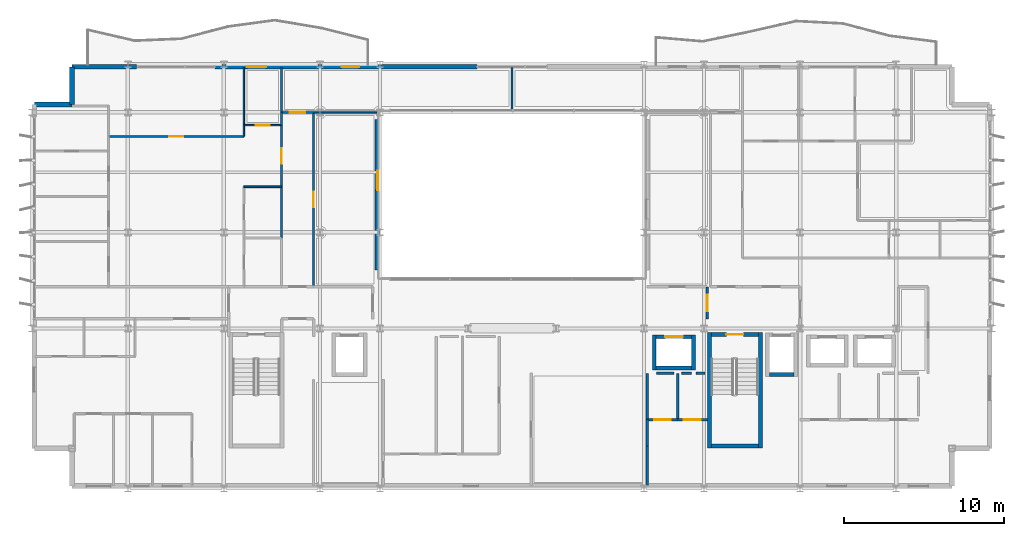
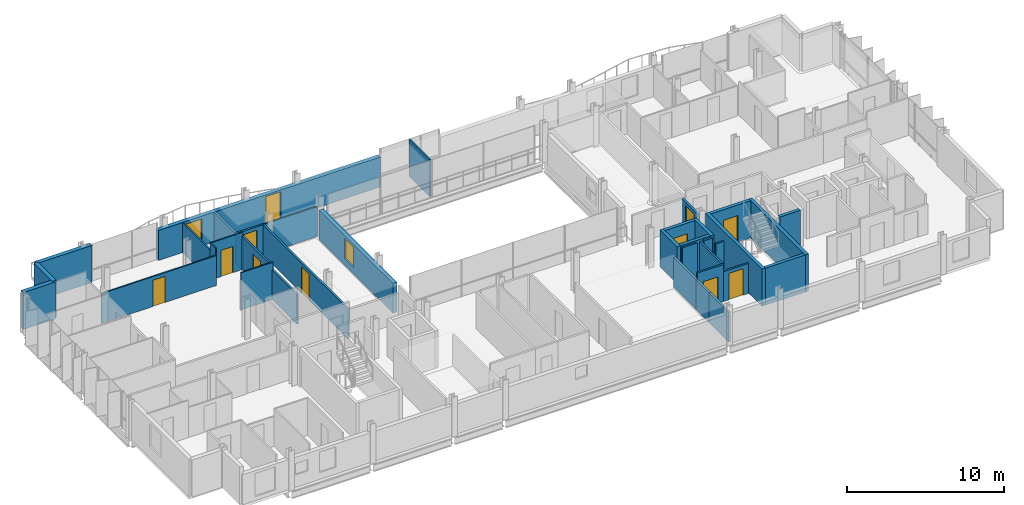
# One storey, part 30 of 38: 37 walls, 11 doors, 2 windows, 13 openings.
"""IFC4 building model written with IfcOpenShell, lengths in metres."""

import ifcopenshell
import ifcopenshell.guid

model = None  # the IFC model being written
_history = None  # IfcOwnerHistory: only IFC2X3 demands one
_inside = {}  # id of a spatial element -> (the spatial element, [elements in it])
_under = {}  # id of a project, library or spatial element -> (it, [spatial elements below it])
_declared = {}  # id of a project -> (the project, [libraries it declares])
_typed = {}  # id of a type object -> (the type object, [elements of that type])
_made_of = {}  # id of a material, layer set ... -> (it, [elements and type objects made of it])


def new_model(schema):
    """Start an empty IFC model of exactly this schema.

    Asked for "IFC4X3", IfcOpenShell would pick the latest addendum, in which some entities
    have other attributes; the version numbers below select the first issue.
    IFC2X3 requires an IfcOwnerHistory on every rooted entity: one is made here for all.
    """
    global model, _history
    if schema == "IFC4X3":
        model = ifcopenshell.file(schema_version=(4, 3, 0, 0))
    else:
        model = ifcopenshell.file(schema=schema)
    _inside.clear()
    _under.clear()
    _declared.clear()
    _typed.clear()
    _made_of.clear()
    _history = None
    if model.schema == "IFC2X3":
        org = make("IfcOrganization", Name="unknown")
        user = make(
            "IfcPersonAndOrganization",
            ThePerson=make("IfcPerson", FamilyName="unknown"),
            TheOrganization=org,
        )
        app = make(
            "IfcApplication",
            ApplicationDeveloper=org,
            Version="unknown",
            ApplicationFullName="unknown",
            ApplicationIdentifier="unknown",
        )
        _history = make(
            "IfcOwnerHistory",
            OwningUser=user,
            OwningApplication=app,
            ChangeAction="ADDED",
            CreationDate=0,
        )
    return model


def make(cls, **values):
    """One entity of the class cls with the attributes given. An attribute that is None is left unset."""
    return model.create_entity(
        cls, **{name: value for name, value in values.items() if value is not None}
    )


def rooted(cls, **values):
    """An entity with a GlobalId (a new one), such as an element, a storey or a relation."""
    return make(cls, GlobalId=ifcopenshell.guid.new(), OwnerHistory=_history, **values)


def si_unit(unit_type, name, prefix=None):
    """IfcSIUnit, for example si_unit("LENGTHUNIT", "METRE", prefix="MILLI")."""
    return make("IfcSIUnit", UnitType=unit_type, Prefix=prefix, Name=name)


def assignment(units):
    """IfcUnitAssignment: the units of a project."""
    return None if units is None else make("IfcUnitAssignment", Units=units)


def point(xyz):
    """IfcCartesianPoint."""
    return None if xyz is None else make("IfcCartesianPoint", Coordinates=xyz)


def direction(xyz):
    """IfcDirection."""
    return None if xyz is None else make("IfcDirection", DirectionRatios=xyz)


def frame(location, z_axis=None, x_axis=None):
    """IfcAxis2Placement3D, a coordinate frame: its origin and axes. An axis left out is left unset."""
    return make(
        "IfcAxis2Placement3D",
        Location=point(location),
        Axis=direction(z_axis),
        RefDirection=direction(x_axis),
    )


def frame_2d(location, x_axis=None):
    """IfcAxis2Placement2D, a coordinate frame in the plane: its origin and x axis."""
    return make(
        "IfcAxis2Placement2D", Location=point(location), RefDirection=direction(x_axis)
    )


def origin():
    """The frame at (0, 0, 0) with its axes left unset."""
    return frame((0.0, 0.0, 0.0))


def place(relative_to, where):
    """IfcLocalPlacement: puts the frame where relative to a parent placement (None: the world)."""
    return make(
        "IfcLocalPlacement", PlacementRelTo=relative_to, RelativePlacement=where
    )


def context(
    kind, dimensions, precision=None, world=None, true_north=None, identifier=None
):
    """IfcGeometricRepresentationContext, for example the 3D "Model" context."""
    return make(
        "IfcGeometricRepresentationContext",
        ContextIdentifier=identifier,
        ContextType=kind,
        CoordinateSpaceDimension=dimensions,
        Precision=precision,
        WorldCoordinateSystem=world,
        TrueNorth=true_north,
    )


def subcontext(parent, identifier, kind, view, scale=None):
    """IfcGeometricRepresentationSubContext, for example "Body" below "Model"."""
    return make(
        "IfcGeometricRepresentationSubContext",
        ContextIdentifier=identifier,
        ContextType=kind,
        ParentContext=parent,
        TargetScale=scale,
        TargetView=view,
    )


def project(units=None, contexts=None):
    """IfcProject with its units and contexts."""
    return rooted(
        "IfcProject",
        Name="project",
        RepresentationContexts=contexts,
        UnitsInContext=assignment(units),
    )


def spatial(cls, under=None, at=None, **own):
    """A site, building, storey or space (cls), placed at a placement, below another one or the project."""
    s = rooted(cls, ObjectPlacement=at, **own)
    if under is not None:
        _under.setdefault(under.id(), (under, []))[1].append(s)
    return s


def profile(cls, at=None, kind="AREA", **sizes):
    """A parametric profile (cls). Its sizes go by their IFC names, for example OverallWidth=200.0."""
    return make(cls, ProfileType=kind, Position=at, **sizes)


def rectangle(**sizes):
    """IfcRectangleProfileDef."""
    return profile("IfcRectangleProfileDef", **sizes)


def extrude(swept, where, along, depth):
    """IfcExtrudedAreaSolid: the profile swept, set in the frame where, extruded along a direction by depth."""
    return make(
        "IfcExtrudedAreaSolid",
        SweptArea=swept,
        Position=where,
        ExtrudedDirection=direction(along),
        Depth=depth,
    )


def shape(context_of_items, identifier, shape_type, items):
    """IfcShapeRepresentation: the items that make up one representation, for example the "Body"."""
    return make(
        "IfcShapeRepresentation",
        ContextOfItems=context_of_items,
        RepresentationIdentifier=identifier,
        RepresentationType=shape_type,
        Items=items,
    )


def material(Name=None, Category=None):
    """IfcMaterial."""
    return make("IfcMaterial", Name=Name, Category=Category)


def layer(
    of_material, thickness, ventilated=None, Name=None, Category=None, Priority=None
):
    """IfcMaterialLayer: one layer of a wall or slab, of a material (None: an air gap)."""
    return make(
        "IfcMaterialLayer",
        Material=of_material,
        LayerThickness=thickness,
        IsVentilated=ventilated,
        Name=Name,
        Category=Category,
        Priority=Priority,
    )


def layer_set(layers, Name=None):
    """IfcMaterialLayerSet."""
    return make("IfcMaterialLayerSet", MaterialLayers=layers, LayerSetName=Name)


def made_of(thing, what):
    """Note that an element or type object is made of a material, layer set ...; save() writes the relation."""
    if what is not None:
        _made_of.setdefault(what.id(), (what, []))[1].append(thing)
    return thing


def type_object(cls, material=None, **own):
    """A type object (cls), such as IfcWallType, which elements share."""
    return made_of(rooted(cls, **own), material)


def element(
    cls,
    number,
    at=None,
    inside=None,
    cuts=None,
    type_object=None,
    material=None,
    context=None,
    identifier="Body",
    shape_type=None,
    held_by="IfcProductDefinitionShape",
    body=None,
    shapes=None,
    **own,
):
    """One element of the class cls, such as IfcWall. Its Tag is "e" and its number.

    at: its placement. inside: the storey or other place that contains it. cuts: it is an
    opening in that element (IfcRelVoidsElement). A single representation is given by context,
    identifier, shape_type and body (its items); several are given by shapes. held_by: the class
    of the entity that holds the representations. save() writes the other relations.
    """
    e = rooted(cls, Tag="e%d" % number, ObjectPlacement=at, **own)
    if body is not None:
        shapes = [shape(context, identifier, shape_type, body)]
    if shapes is not None:
        e.Representation = make(held_by, Representations=shapes)
    if inside is not None:
        _inside.setdefault(inside.id(), (inside, []))[1].append(e)
    if cuts is not None:
        rooted(
            "IfcRelVoidsElement", RelatingBuildingElement=cuts, RelatedOpeningElement=e
        )
    if type_object is not None:
        _typed.setdefault(type_object.id(), (type_object, []))[1].append(e)
    return made_of(e, material)


def fill(opening, filler):
    """IfcRelFillsElement: the door or window that sits in an opening."""
    return rooted(
        "IfcRelFillsElement",
        RelatingOpeningElement=opening,
        RelatedBuildingElement=filler,
    )


def aggregate(whole, parts):
    """IfcRelAggregates: a whole, such as a stair, and the parts it consists of."""
    return rooted("IfcRelAggregates", RelatingObject=whole, RelatedObjects=parts)


def save(model, path):
    """Write the relations noted so far, then the file.

    IfcRelAggregates (storeys below a building ...), IfcRelContainedInSpatialStructure (elements
    in a storey), IfcRelDefinesByType, IfcRelAssociatesMaterial and IfcRelDeclares: one each for
    every whole, place, type object, material and project.
    """
    for whole, parts in _under.values():
        aggregate(whole, parts)
    for where, things in _inside.values():
        rooted(
            "IfcRelContainedInSpatialStructure",
            RelatedElements=things,
            RelatingStructure=where,
        )
    for kind, things in _typed.values():
        rooted("IfcRelDefinesByType", RelatedObjects=things, RelatingType=kind)
    for what, things in _made_of.values():
        rooted("IfcRelAssociatesMaterial", RelatedObjects=things, RelatingMaterial=what)
    for by, libraries in _declared.values():
        rooted("IfcRelDeclares", RelatingContext=by, RelatedDefinitions=libraries)
    model.write(path)


model = new_model("IFC4")

# Units and contexts
model_context = context("Model", 3, precision=1e-05, world=origin(), true_north=direction((0.0, 1.0)))
body_context = subcontext(model_context, "Body", "Model", "MODEL_VIEW")
ifc_project = project(units=[si_unit("LENGTHUNIT", "METRE"), si_unit("AREAUNIT", "SQUARE_METRE"), si_unit("VOLUMEUNIT", "CUBIC_METRE"), si_unit("PLANEANGLEUNIT", "RADIAN"), si_unit("MASSUNIT", "GRAM", prefix="KILO")], contexts=[model_context])

# Site, building, storey
site_placement = place(None, origin())
site = spatial("IfcSite", under=ifc_project, at=site_placement, CompositionType="ELEMENT")
building_placement = place(site_placement, origin())
building = spatial("IfcBuilding", under=site, at=building_placement, Name="Brevholm Reach", CompositionType="ELEMENT")
storey_placement = place(building_placement, frame((0.0, 0.0, 186.300048828125)))
storey = spatial("IfcBuildingStorey", under=building, at=storey_placement, Name="L56", CompositionType="ELEMENT", Elevation=186.300048828125)

# Walls
ifc_material_1 = material(Name="Concrete C45/55", Category="concrete")
ifc_layer_1 = layer(ifc_material_1, 0.239990234375)
ifc_layer_set_1 = layer_set([ifc_layer_1], Name="Concrete C45/55")
wall_type_1 = type_object("IfcWallType", Name="WAL-COR-240", PredefinedType="SHEAR", material=ifc_layer_set_1)
for number, where, z_axis, x_axis, name in (
    (1, (42.330078125, 2.5400390625, 0.0), (0.0, 0.0, 1.0), (0.0, 1.0, 0.0), "L56 Escape Stair ST-2 Core Wall W"),
    (2, (45.52001953125, 2.5400390625, 0.0), (0.0, 0.0, 1.0), (0.0, 1.0, 0.0), "L56 Escape Stair ST-2 Core Wall E"),
):
    element("IfcWall", number, at=place(storey_placement, frame(where, z_axis=z_axis, x_axis=x_axis)), inside=storey, type_object=wall_type_1, Name=name, PredefinedType="SHEAR", context=body_context, shape_type="SweptSolid", body=[
        extrude(rectangle(XDim=7.199951171875, YDim=0.239990234375, at=frame_2d((3.60009765625, 0.0))), origin(), (0.0, 0.0, 1.0), 2.889892578125),
    ])
wall_1_placement = place(storey_placement, frame((42.449951171875, 2.659912109375, 0.0), z_axis=(0.0, 0.0, 1.0), x_axis=(1.0, 0.0, 0.0)))
element("IfcWall", 3, at=wall_1_placement, inside=storey, type_object=wall_type_1, Name="L56 Escape Stair ST-2 Core Wall S", PredefinedType="SHEAR", context=body_context, shape_type="SweptSolid", body=[
    extrude(rectangle(XDim=2.949951171875, YDim=0.239990234375, at=frame_2d((1.47509765625, 0.0))), origin(), (0.0, 0.0, 1.0), 2.889892578125),
])

# Wall, opening, door
wall_2_placement = place(storey_placement, frame((45.39990234375, 9.6201171875, 0.0), z_axis=(0.0, 0.0, 1.0), x_axis=(-1.0, 0.0, 0.0)))
wall_2 = element("IfcWall", 4, at=wall_2_placement, inside=storey, type_object=wall_type_1, Name="L56 Escape Stair ST-2 Core Wall N", PredefinedType="SHEAR", context=body_context, shape_type="SweptSolid", body=[
    extrude(rectangle(XDim=2.949951171875, YDim=0.239990234375, at=frame_2d((1.47509765625, 0.0))), origin(), (0.0, 0.0, 1.0), 2.889892578125),
])
opening_1_placement = place(wall_2_placement, frame((0.949951171875, 0.0, 0.0)))
opening_1 = element("IfcOpeningElement", 5, at=opening_1_placement, cuts=wall_2, Name="Opening SD-ST-2", PredefinedType="OPENING", context=body_context, shape_type="SweptSolid", body=[
    extrude(rectangle(XDim=1.050048828125, YDim=2.06005859375, at=frame_2d((0.52490234375, 1.030029296875))), frame((0.0, 0.1298828125, 0.0), z_axis=(0.0, -1.0, 0.0), x_axis=(1.0, 0.0, 0.0)), (0.0, 0.0, 1.0), 0.260009765625),
])
ifc_material_2 = material(Name="Hardwood-Lipped Steel-Core Fire and Smoke Door", Category="steel")
door_type_1 = type_object("IfcDoorType", Name="DOR-INT-FD60S", OperationType="NOTDEFINED", PredefinedType="DOOR", material=ifc_material_2)
door_1_placement = place(opening_1_placement, origin())
door_1 = element("IfcDoor", 6, at=door_1_placement, inside=storey, type_object=door_type_1, Name="L56 Protected Stair ST-2 Lobby Door", OperationType="SINGLE_SWING_LEFT", OverallHeight=2.06005859375, OverallWidth=1.050048828125, PredefinedType="DOOR", context=body_context, shape_type="SweptSolid", body=[
    extrude(rectangle(XDim=1.050048828125, YDim=2.06005859375, at=frame_2d((0.52490234375, 1.030029296875))), frame((0.0, 0.02490234375, 0.0), z_axis=(0.0, -1.0, 0.0), x_axis=(1.0, 0.0, 0.0)), (0.0, 0.0, 1.0), 0.050048828125),
])
fill(opening_1, door_1)

# Walls
wall_3_placement = place(storey_placement, frame((46.090087890625, 7.1201171875, 0.0), z_axis=(0.0, 0.0, 1.0), x_axis=(1.0, 0.0, 0.0)))
element("IfcWall", 7, at=wall_3_placement, inside=storey, type_object=wall_type_1, Name="L56 Lift FFL-2 Shaft Wall S", PredefinedType="SHEAR", context=body_context, shape_type="SweptSolid", body=[
    extrude(rectangle(XDim=1.52001953125, YDim=0.239990234375, at=frame_2d((0.760009765625, 0.0))), origin(), (0.0, 0.0, 1.0), 2.889892578125),
])
for number, where, z_axis, x_axis, name in (
    (8, (38.889892578125, 7.39990234375, 0.0), (0.0, 0.0, 1.0), (0.0, 1.0, 0.0), "L56 Lift PL-S1 Shaft Wall W"),
    (9, (41.35009765625, 7.39990234375, 0.0), (0.0, 0.0, 1.0), (0.0, 1.0, 0.0), "L56 Lift PL-S1 Shaft Wall E"),
):
    element("IfcWall", number, at=place(storey_placement, frame(where, z_axis=z_axis, x_axis=x_axis)), inside=storey, type_object=wall_type_1, Name=name, PredefinedType="SHEAR", context=body_context, shape_type="SweptSolid", body=[
        extrude(rectangle(XDim=2.2001953125, YDim=0.239990234375, at=frame_2d((1.10009765625, 0.0))), origin(), (0.0, 0.0, 1.0), 2.889892578125),
    ])
wall_4_placement = place(storey_placement, frame((39.010009765625, 7.52001953125, 0.0), z_axis=(0.0, 0.0, 1.0), x_axis=(1.0, 0.0, 0.0)))
element("IfcWall", 10, at=wall_4_placement, inside=storey, type_object=wall_type_1, Name="L56 Lift PL-S1 Shaft Wall S", PredefinedType="SHEAR", context=body_context, shape_type="SweptSolid", body=[
    extrude(rectangle(XDim=2.219970703125, YDim=0.239990234375, at=frame_2d((1.10986328125, 0.0))), origin(), (0.0, 0.0, 1.0), 2.889892578125),
])

# Wall, opening, door
wall_5_placement = place(storey_placement, frame((39.010009765625, 9.47998046875, 0.0), z_axis=(0.0, 0.0, 1.0), x_axis=(1.0, 0.0, 0.0)))
wall_5 = element("IfcWall", 11, at=wall_5_placement, inside=storey, type_object=wall_type_1, Name="L56 Lift PL-S1 Shaft Wall N", PredefinedType="SHEAR", context=body_context, shape_type="SweptSolid", body=[
    extrude(rectangle(XDim=2.219970703125, YDim=0.239990234375, at=frame_2d((1.10986328125, 0.0))), origin(), (0.0, 0.0, 1.0), 2.889892578125),
])
opening_2_placement = place(wall_5_placement, frame((0.56005859375, 0.0, 0.0)))
opening_2 = element("IfcOpeningElement", 12, at=opening_2_placement, cuts=wall_5, Name="Opening LD-PL-S1", PredefinedType="OPENING", context=body_context, shape_type="SweptSolid", body=[
    extrude(rectangle(XDim=1.10009765625, YDim=2.06005859375, at=frame_2d((0.550048828125, 1.030029296875))), frame((0.0, 0.1298828125, 0.0), z_axis=(0.0, -1.0, 0.0), x_axis=(1.0, 0.0, 0.0)), (0.0, 0.0, 1.0), 0.260009765625),
])
ifc_material_3 = material(Name="Brushed Stainless Steel Fire-Rated Sliding Lift Door", Category="steel")
door_type_2 = type_object("IfcDoorType", Name="DOR-LFT-1100", OperationType="NOTDEFINED", PredefinedType="DOOR", material=ifc_material_3)
door_2_placement = place(opening_2_placement, origin())
door_2 = element("IfcDoor", 13, at=door_2_placement, inside=storey, type_object=door_type_2, Name="L56 Lift PL-S1 Sliding Landing Door", OperationType="SLIDING_TO_RIGHT", OverallHeight=2.06005859375, OverallWidth=1.10009765625, PredefinedType="DOOR", context=body_context, shape_type="SweptSolid", body=[
    extrude(rectangle(XDim=1.10009765625, YDim=2.06005859375, at=frame_2d((0.550048828125, 1.030029296875))), frame((0.0, 0.02490234375, 0.0), z_axis=(0.0, -1.0, 0.0), x_axis=(1.0, 0.0, 0.0)), (0.0, 0.0, 1.0), 0.050048828125),
])
fill(opening_2, door_2)

# Walls
ifc_material_4 = material(Name="Concrete C40/50", Category="concrete")
ifc_layer_2 = layer(ifc_material_4, 0.300048828125)
ifc_layer_set_2 = layer_set([ifc_layer_2], Name="Concrete C40/50")
wall_type_2 = type_object("IfcWallType", Name="WAL-EXT-300", PredefinedType="STANDARD", material=ifc_layer_set_2)
for number, where, z_axis, x_axis, name in (
    (14, (2.5, 26.35009765625, 0.0), (0.0, 0.0, 1.0), (0.0, -1.0, 0.0), "L56 Facade Wall WAL-L56-CNW1"),
    (15, (2.5, 24.0, 0.0), (0.0, 0.0, 1.0), (-1.0, 0.0, 0.0), "L56 Facade Wall WAL-L56-CNW2"),
):
    element("IfcWall", number, at=place(storey_placement, frame(where, z_axis=z_axis, x_axis=x_axis)), inside=storey, type_object=wall_type_2, Name=name, PredefinedType="STANDARD", context=body_context, shape_type="SweptSolid", body=[
        extrude(rectangle(XDim=2.35009765625, YDim=0.300048828125, at=frame_2d((1.175048828125, 0.0))), origin(), (0.0, 0.0, 1.0), 2.889892578125),
    ])
wall_6_placement = place(storey_placement, frame((2.5, 26.35009765625, 0.0), z_axis=(0.0, 0.0, 1.0), x_axis=(1.0, 0.0, 0.0)))
element("IfcWall", 16, at=wall_6_placement, inside=storey, type_object=wall_type_2, Name="L56 Facade Wall WAL-L56-NP-W0", PredefinedType="STANDARD", context=body_context, shape_type="SweptSolid", body=[
    extrude(rectangle(XDim=4.050048828125, YDim=0.300048828125, at=frame_2d((2.02490234375, 0.0))), origin(), (0.0, 0.0, 1.0), 2.889892578125),
])

# Wall, openings, door, window
wall_7_placement = place(storey_placement, frame((11.449951171875, 26.35009765625, 0.0), z_axis=(0.0, 0.0, 1.0), x_axis=(1.0, 0.0, 0.0)))
wall_7 = element("IfcWall", 17, at=wall_7_placement, inside=storey, type_object=wall_type_2, Name="L56 Facade Wall WAL-L56-NP-WL", PredefinedType="STANDARD", context=body_context, shape_type="SweptSolid", body=[
    extrude(rectangle(XDim=16.35009765625, YDim=0.300048828125, at=frame_2d((8.175048828125, 0.0))), origin(), (0.0, 0.0, 1.0), 2.331787109375),
])
opening_3_placement = place(wall_7_placement, frame((7.89794921875, 0.0, 0.0)))
opening_3 = element("IfcOpeningElement", 18, at=opening_3_placement, cuts=wall_7, Name="Opening BD-01", PredefinedType="OPENING", context=body_context, shape_type="SweptSolid", body=[
    extrude(rectangle(XDim=1.10009765625, YDim=2.199951171875, at=frame_2d((0.550048828125, 1.10009765625))), frame((0.0, 0.159912109375, 0.0), z_axis=(0.0, -1.0, 0.0), x_axis=(1.0, 0.0, 0.0)), (0.0, 0.0, 1.0), 0.320068359375),
])
opening_4_placement = place(wall_7_placement, frame((1.97998046875, 0.0, 0.511962890625)))
opening_4 = element("IfcOpeningElement", 19, at=opening_4_placement, cuts=wall_7, Name="Opening WN-08", PredefinedType="OPENING", context=body_context, shape_type="SweptSolid", body=[
    extrude(rectangle(XDim=1.199951171875, YDim=1.60009765625, at=frame_2d((0.60009765625, 0.800048828125))), frame((0.0, 0.159912109375, 0.0), z_axis=(0.0, -1.0, 0.0), x_axis=(1.0, 0.0, 0.0)), (0.0, 0.0, 1.0), 0.320068359375),
])
ifc_material_5 = material(Name="Dark Anodised Aluminium and Triple-Glazed Glass", Category="aluminium")
door_type_3 = type_object("IfcDoorType", Name="DOR-BALC-1100", OperationType="NOTDEFINED", PredefinedType="DOOR", material=ifc_material_5)
door_3_placement = place(opening_3_placement, origin())
door_3 = element("IfcDoor", 20, at=door_3_placement, inside=storey, type_object=door_type_3, Name="L56 Exterior Door DOR-L56-BL-NW", OperationType="SINGLE_SWING_LEFT", OverallHeight=2.199951171875, OverallWidth=1.10009765625, PredefinedType="DOOR", context=body_context, shape_type="SweptSolid", body=[
    extrude(rectangle(XDim=1.10009765625, YDim=2.199951171875, at=frame_2d((0.550048828125, 1.10009765625))), frame((0.0, 0.02490234375, 0.0), z_axis=(0.0, -1.0, 0.0), x_axis=(1.0, 0.0, 0.0)), (0.0, 0.0, 1.0), 0.050048828125),
])
fill(opening_3, door_3)
ifc_material_6 = material(Name="Dark Anodised Aluminium and Solar-Control IGU Glass", Category="aluminium")
window_type = type_object("IfcWindowType", Name="WIN-RES-1200", PartitioningType="SINGLE_PANEL", PredefinedType="WINDOW", material=ifc_material_6)
window_1_placement = place(opening_4_placement, origin())
window_1 = element("IfcWindow", 21, at=window_1_placement, inside=storey, type_object=window_type, Name="L56 Window WIN-L56-NP-WL1", OverallHeight=1.60009765625, OverallWidth=1.199951171875, PartitioningType="SINGLE_PANEL", PredefinedType="WINDOW", context=body_context, shape_type="SweptSolid", body=[
    extrude(rectangle(XDim=1.199951171875, YDim=1.60009765625, at=frame_2d((0.60009765625, 0.800048828125))), frame((0.0, 0.030029296875, 0.0), z_axis=(0.0, -1.0, 0.0), x_axis=(1.0, 0.0, 0.0)), (0.0, 0.0, 1.0), 0.06005859375),
])
fill(opening_4, window_1)

# Wall, opening, window
wall_8_placement = place(storey_placement, frame((21.60009765625, 23.050048828125, 0.0), z_axis=(0.0, 0.0, 1.0), x_axis=(0.0, -1.0, 0.0)))
wall_8 = element("IfcWall", 22, at=wall_8_placement, inside=storey, type_object=wall_type_2, Name="L56 Facade Wall WAL-L56-AT-W", PredefinedType="STANDARD", context=body_context, shape_type="SweptSolid", body=[
    extrude(rectangle(XDim=9.400146484375, YDim=0.300048828125, at=frame_2d((4.7001953125, 0.0))), origin(), (0.0, 0.0, 1.0), 2.331787109375),
])
opening_5_placement = place(wall_8_placement, frame((3.199951171875, 0.0, 0.5)))
opening_5 = element("IfcOpeningElement", 23, at=opening_5_placement, cuts=wall_8, Name="Opening WN-08", PredefinedType="OPENING", context=body_context, shape_type="SweptSolid", body=[
    extrude(rectangle(XDim=1.199951171875, YDim=1.60009765625, at=frame_2d((0.60009765625, 0.800048828125))), frame((0.0, 0.159912109375, 0.0), z_axis=(0.0, -1.0, 0.0), x_axis=(1.0, 0.0, 0.0)), (0.0, 0.0, 1.0), 0.320068359375),
])
window_2_placement = place(opening_5_placement, origin())
window_2 = element("IfcWindow", 24, at=window_2_placement, inside=storey, type_object=window_type, Name="L56 Window WIN-L56-AT-W1", OverallHeight=1.60009765625, OverallWidth=1.199951171875, PartitioningType="SINGLE_PANEL", PredefinedType="WINDOW", context=body_context, shape_type="SweptSolid", body=[
    extrude(rectangle(XDim=1.199951171875, YDim=1.60009765625, at=frame_2d((0.60009765625, 0.800048828125))), frame((0.0, 0.030029296875, 0.0), z_axis=(0.0, -1.0, 0.0), x_axis=(1.0, 0.0, 0.0)), (0.0, 0.0, 1.0), 0.06005859375),
])
fill(opening_5, window_2)

# Walls
ifc_material_7 = material(Name="Moisture-Resistant Acoustic Gypsum Stud Partition 100 mm", Category="gypsum")
ifc_layer_3 = layer(ifc_material_7, 0.10009765625)
ifc_layer_set_3 = layer_set([ifc_layer_3], Name="Moisture-Resistant Acoustic Gypsum Stud Partition 100 mm")
wall_type_3 = type_object("IfcWallType", Name="WAL-PRT-100", PredefinedType="PARTITIONING", material=ifc_layer_set_3)
wall_9_placement = place(storey_placement, frame((13.25, 18.85009765625, 0.0), z_axis=(0.0, 0.0, 1.0), x_axis=(1.0, 0.0, 0.0)))
element("IfcWall", 25, at=wall_9_placement, inside=storey, type_object=wall_type_3, Name="L56 Internal Partition 072", PredefinedType="PARTITIONING", context=body_context, shape_type="SweptSolid", body=[
    extrude(rectangle(XDim=2.345947265625, YDim=0.10009765625, at=frame_2d((1.1728515625, 0.0))), origin(), (0.0, 0.0, 1.0), 2.889892578125),
])
wall_10_placement = place(storey_placement, frame((13.25, 22.699951171875, 0.0), z_axis=(0.0, 0.0, 1.0), x_axis=(0.0, 1.0, 0.0)))
element("IfcWall", 26, at=wall_10_placement, inside=storey, type_object=wall_type_3, Name="L56 Internal Partition 074", PredefinedType="PARTITIONING", context=body_context, shape_type="SweptSolid", body=[
    extrude(rectangle(XDim=3.60009765625, YDim=0.10009765625, at=frame_2d((1.800048828125, 0.0))), origin(), (0.0, 0.0, 1.0), 2.325439453125),
])

# Wall, opening, door
wall_11_placement = place(storey_placement, frame((13.25, 22.699951171875, 0.0), z_axis=(0.0, 0.0, 1.0), x_axis=(1.0, 0.0, 0.0)))
wall_11 = element("IfcWall", 27, at=wall_11_placement, inside=storey, type_object=wall_type_3, Name="L56 Internal Partition 075", PredefinedType="PARTITIONING", context=body_context, shape_type="SweptSolid", body=[
    extrude(rectangle(XDim=2.345947265625, YDim=0.10009765625, at=frame_2d((1.1728515625, 0.0))), origin(), (0.0, 0.0, 1.0), 2.889892578125),
])
opening_6_placement = place(wall_11_placement, frame((0.73291015625, 0.0, 0.0)))
opening_6 = element("IfcOpeningElement", 28, at=opening_6_placement, cuts=wall_11, Name="Opening ID-01", PredefinedType="OPENING", context=body_context, shape_type="SweptSolid", body=[
    extrude(rectangle(XDim=0.8798828125, YDim=2.0400390625, at=frame_2d((0.43994140625, 1.02001953125))), frame((0.0, 0.06005859375, 0.0), z_axis=(0.0, -1.0, 0.0), x_axis=(1.0, 0.0, 0.0)), (0.0, 0.0, 1.0), 0.1201171875),
])
ifc_material_8 = material(Name="Lacquered Ash Solid-Core Acoustic Internal Door", Category="timber")
door_type_4 = type_object("IfcDoorType", Name="DOR-INT-880", OperationType="NOTDEFINED", PredefinedType="DOOR", material=ifc_material_8)
door_4_placement = place(opening_6_placement, origin())
door_4 = element("IfcDoor", 29, at=door_4_placement, inside=storey, type_object=door_type_4, Name="L56 Internal Door 034", OperationType="SINGLE_SWING_LEFT", OverallHeight=2.0400390625, OverallWidth=0.8798828125, PredefinedType="DOOR", context=body_context, shape_type="SweptSolid", body=[
    extrude(rectangle(XDim=0.8798828125, YDim=2.0400390625, at=frame_2d((0.43994140625, 1.02001953125))), frame((0.0, 0.02490234375, 0.0), z_axis=(0.0, -1.0, 0.0), x_axis=(1.0, 0.0, 0.0)), (0.0, 0.0, 1.0), 0.050048828125),
])
fill(opening_6, door_4)

wall_12_placement = place(storey_placement, frame((4.803955078125, 21.9951171875, 0.0), z_axis=(0.0, 0.0, 1.0), x_axis=(1.0, 0.0, 0.0)))
wall_12 = element("IfcWall", 30, at=wall_12_placement, inside=storey, type_object=wall_type_3, Name="L56 Internal Partition 086", PredefinedType="PARTITIONING", context=body_context, shape_type="SweptSolid", body=[
    extrude(rectangle(XDim=8.446044921875, YDim=0.10009765625, at=frame_2d((4.22314453125, 0.0))), origin(), (0.0, 0.0, 1.0), 2.325439453125),
])
opening_7_placement = place(wall_12_placement, frame((3.782958984375, 0.0, 0.0)))
opening_7 = element("IfcOpeningElement", 31, at=opening_7_placement, cuts=wall_12, Name="Opening ID-01", PredefinedType="OPENING", context=body_context, shape_type="SweptSolid", body=[
    extrude(rectangle(XDim=0.8798828125, YDim=2.0400390625, at=frame_2d((0.43994140625, 1.02001953125))), frame((0.0, 0.06005859375, 0.0), z_axis=(0.0, -1.0, 0.0), x_axis=(1.0, 0.0, 0.0)), (0.0, 0.0, 1.0), 0.1201171875),
])
door_5_placement = place(opening_7_placement, origin())
door_5 = element("IfcDoor", 32, at=door_5_placement, inside=storey, type_object=door_type_4, Name="L56 Internal Door 038", OperationType="SINGLE_SWING_LEFT", OverallHeight=2.0400390625, OverallWidth=0.8798828125, PredefinedType="DOOR", context=body_context, shape_type="SweptSolid", body=[
    extrude(rectangle(XDim=0.8798828125, YDim=2.0400390625, at=frame_2d((0.43994140625, 1.02001953125))), frame((0.0, 0.02490234375, 0.0), z_axis=(0.0, -1.0, 0.0), x_axis=(1.0, 0.0, 0.0)), (0.0, 0.0, 1.0), 0.050048828125),
])
fill(opening_7, door_5)

# Walls
wall_13_placement = place(storey_placement, frame((13.25, 21.9951171875, 0.0), z_axis=(0.0, 0.0, 1.0), x_axis=(0.0, 1.0, 0.0)))
element("IfcWall", 33, at=wall_13_placement, inside=storey, type_object=wall_type_3, Name="L56 Internal Partition 087", PredefinedType="PARTITIONING", context=body_context, shape_type="SweptSolid", body=[
    extrude(rectangle(XDim=0.700927734375, YDim=0.10009765625, at=frame_2d((0.3505859375, 0.0))), origin(), (0.0, 0.0, 1.0), 2.889892578125),
])
wall_14_placement = place(storey_placement, frame((17.60400390625, 23.5, 0.0), z_axis=(0.0, 0.0, 1.0), x_axis=(1.0, 0.0, 0.0)))
element("IfcWall", 34, at=wall_14_placement, inside=storey, type_object=wall_type_3, Name="L56 Internal Partition 101", PredefinedType="PARTITIONING", context=body_context, shape_type="SweptSolid", body=[
    extrude(rectangle(XDim=3.946044921875, YDim=0.10009765625, at=frame_2d((1.97314453125, 0.0))), origin(), (0.0, 0.0, 1.0), 2.325439453125),
])
wall_15_placement = place(storey_placement, frame((30.0, 23.679931640625, 0.0), z_axis=(0.0, 0.0, 1.0), x_axis=(0.0, 1.0, 0.0)))
element("IfcWall", 35, at=wall_15_placement, inside=storey, type_object=wall_type_3, Name="L56 Internal Partition 103", PredefinedType="PARTITIONING", context=body_context, shape_type="SweptSolid", body=[
    extrude(rectangle(XDim=2.6201171875, YDim=0.10009765625, at=frame_2d((1.31005859375, 0.0))), origin(), (0.0, 0.0, 1.0), 2.889892578125),
])
ifc_material_9 = material(Name="Twin-Stud Acoustic Fire-Rated Gypsum Partition 140 mm", Category="gypsum")
ifc_layer_4 = layer(ifc_material_9, 0.139892578125)
ifc_layer_set_4 = layer_set([ifc_layer_4], Name="Twin-Stud Acoustic Fire-Rated Gypsum Partition 140 mm")
wall_type_4 = type_object("IfcWallType", Name="WAL-PRT-140", PredefinedType="PARTITIONING", material=ifc_layer_set_4)
wall_16_placement = place(storey_placement, frame((38.449951171875, 0.179931640625, 0.0), z_axis=(0.0, 0.0, 1.0), x_axis=(0.0, 1.0, 0.0)))
element("IfcWall", 36, at=wall_16_placement, inside=storey, type_object=wall_type_4, Name="L56 Internal Partition 010", PredefinedType="PARTITIONING", context=body_context, shape_type="SweptSolid", body=[
    extrude(rectangle(XDim=2.4814453125, YDim=0.139892578125, at=frame_2d((1.24072265625, 0.0))), origin(), (0.0, 0.0, 1.0), 2.331787109375),
])
wall_17_placement = place(storey_placement, frame((38.449951171875, 2.642578125, 0.0), z_axis=(0.0, 0.0, 1.0), x_axis=(0.0, 1.0, 0.0)))
element("IfcWall", 37, at=wall_17_placement, inside=storey, type_object=wall_type_4, Name="L56 Internal Partition 011", PredefinedType="PARTITIONING", context=body_context, shape_type="SweptSolid", body=[
    extrude(rectangle(XDim=1.668701171875, YDim=0.139892578125, at=frame_2d((0.83447265625, 0.0))), origin(), (0.0, 0.0, 1.0), 2.331787109375),
])
wall_18_placement = place(storey_placement, frame((38.449951171875, 4.292724609375, 0.0), z_axis=(0.0, 0.0, 1.0), x_axis=(0.0, 1.0, 0.0)))
element("IfcWall", 38, at=wall_18_placement, inside=storey, type_object=wall_type_4, Name="L56 Internal Partition 012", PredefinedType="PARTITIONING", context=body_context, shape_type="SweptSolid", body=[
    extrude(rectangle(XDim=2.9072265625, YDim=0.139892578125, at=frame_2d((1.45361328125, 0.0))), origin(), (0.0, 0.0, 1.0), 2.331787109375),
])

# Wall, opening, door
wall_19_placement = place(storey_placement, frame((38.4541015625, 4.300048828125, 0.0), z_axis=(0.0, 0.0, 1.0), x_axis=(1.0, 0.0, 0.0)))
wall_19 = element("IfcWall", 39, at=wall_19_placement, inside=storey, type_object=wall_type_4, Name="L56 Internal Partition 018", PredefinedType="PARTITIONING", context=body_context, shape_type="SweptSolid", body=[
    extrude(rectangle(XDim=1.9072265625, YDim=0.139892578125, at=frame_2d((0.95361328125, 0.0))), origin(), (0.0, 0.0, 1.0), 2.889892578125),
])
opening_8_placement = place(wall_19_placement, frame((0.4287109375, 0.0, 0.0)))
opening_8 = element("IfcOpeningElement", 40, at=opening_8_placement, cuts=wall_19, Name="Opening FD-01", PredefinedType="OPENING", context=body_context, shape_type="SweptSolid", body=[
    extrude(rectangle(XDim=1.050048828125, YDim=2.06005859375, at=frame_2d((0.52490234375, 1.030029296875))), frame((0.0, 0.079833984375, 0.0), z_axis=(0.0, -1.0, 0.0), x_axis=(1.0, 0.0, 0.0)), (0.0, 0.0, 1.0), 0.159912109375),
])
door_6_placement = place(opening_8_placement, origin())
door_6 = element("IfcDoor", 41, at=door_6_placement, inside=storey, type_object=door_type_1, Name="L56 Internal Door 008", OperationType="SINGLE_SWING_LEFT", OverallHeight=2.06005859375, OverallWidth=1.050048828125, PredefinedType="DOOR", context=body_context, shape_type="SweptSolid", body=[
    extrude(rectangle(XDim=1.050048828125, YDim=2.06005859375, at=frame_2d((0.52490234375, 1.030029296875))), frame((0.0, 0.02490234375, 0.0), z_axis=(0.0, -1.0, 0.0), x_axis=(1.0, 0.0, 0.0)), (0.0, 0.0, 1.0), 0.050048828125),
])
fill(opening_8, door_6)

wall_20_placement = place(storey_placement, frame((40.3427734375, 4.300048828125, 0.0), z_axis=(0.0, 0.0, 1.0), x_axis=(1.0, 0.0, 0.0)))
wall_20 = element("IfcWall", 42, at=wall_20_placement, inside=storey, type_object=wall_type_4, Name="L56 Internal Partition 019", PredefinedType="PARTITIONING", context=body_context, shape_type="SweptSolid", body=[
    extrude(rectangle(XDim=1.857177734375, YDim=0.139892578125, at=frame_2d((0.9287109375, 0.0))), origin(), (0.0, 0.0, 1.0), 2.325439453125),
])
opening_9_placement = place(wall_20_placement, frame((0.40380859375, 0.0, 0.0)))
opening_9 = element("IfcOpeningElement", 43, at=opening_9_placement, cuts=wall_20, Name="Opening FD-01", PredefinedType="OPENING", context=body_context, shape_type="SweptSolid", body=[
    extrude(rectangle(XDim=1.050048828125, YDim=2.06005859375, at=frame_2d((0.52490234375, 1.030029296875))), frame((0.0, 0.079833984375, 0.0), z_axis=(0.0, -1.0, 0.0), x_axis=(1.0, 0.0, 0.0)), (0.0, 0.0, 1.0), 0.159912109375),
])
door_7_placement = place(opening_9_placement, origin())
door_7 = element("IfcDoor", 44, at=door_7_placement, inside=storey, type_object=door_type_1, Name="L56 Internal Door 009", OperationType="SINGLE_SWING_RIGHT", OverallHeight=2.06005859375, OverallWidth=1.050048828125, PredefinedType="DOOR", context=body_context, shape_type="SweptSolid", body=[
    extrude(rectangle(XDim=1.050048828125, YDim=2.06005859375, at=frame_2d((0.52490234375, 1.030029296875))), frame((0.0, 0.02490234375, 0.0), z_axis=(0.0, -1.0, 0.0), x_axis=(1.0, 0.0, 0.0)), (0.0, 0.0, 1.0), 0.050048828125),
])
fill(opening_9, door_7)

# Walls
wall_21_placement = place(storey_placement, frame((40.35009765625, 4.303955078125, 0.0), z_axis=(0.0, 0.0, 1.0), x_axis=(0.0, 1.0, 0.0)))
element("IfcWall", 45, at=wall_21_placement, inside=storey, type_object=wall_type_4, Name="L56 Internal Partition 020", PredefinedType="PARTITIONING", context=body_context, shape_type="SweptSolid", body=[
    extrude(rectangle(XDim=2.89599609375, YDim=0.139892578125, at=frame_2d((1.447998046875, 0.0))), origin(), (0.0, 0.0, 1.0), 2.889892578125),
])
wall_22_placement = place(storey_placement, frame((15.60009765625, 15.642578125, 0.0), z_axis=(0.0, 0.0, 1.0), x_axis=(0.0, 1.0, 0.0)))
element("IfcWall", 46, at=wall_22_placement, inside=storey, type_object=wall_type_4, Name="L56 Internal Partition 042", PredefinedType="PARTITIONING", context=body_context, shape_type="SweptSolid", body=[
    extrude(rectangle(XDim=3.21875, YDim=0.139892578125, at=frame_2d((1.609375, 0.0))), origin(), (0.0, 0.0, 1.0), 2.325439453125),
])
wall_23_placement = place(storey_placement, frame((15.60009765625, 22.688720703125, 0.0), z_axis=(0.0, 0.0, 1.0), x_axis=(0.0, 1.0, 0.0)))
element("IfcWall", 47, at=wall_23_placement, inside=storey, type_object=wall_type_4, Name="L56 Internal Partition 043", PredefinedType="PARTITIONING", context=body_context, shape_type="SweptSolid", body=[
    extrude(rectangle(XDim=0.811279296875, YDim=0.139892578125, at=frame_2d((0.40576171875, 0.0))), origin(), (0.0, 0.0, 1.0), 2.325439453125),
])

# Wall, opening, door
wall_24_placement = place(storey_placement, frame((15.60009765625, 18.8427734375, 0.0), z_axis=(0.0, 0.0, 1.0), x_axis=(0.0, 1.0, 0.0)))
wall_24 = element("IfcWall", 48, at=wall_24_placement, inside=storey, type_object=wall_type_4, Name="L56 Internal Partition 044", PredefinedType="PARTITIONING", context=body_context, shape_type="SweptSolid", body=[
    extrude(rectangle(XDim=3.864501953125, YDim=0.139892578125, at=frame_2d((1.93212890625, 0.0))), origin(), (0.0, 0.0, 1.0), 2.613525390625),
])
opening_10_placement = place(wall_24_placement, frame((1.457275390625, 0.0, 0.0)))
opening_10 = element("IfcOpeningElement", 49, at=opening_10_placement, cuts=wall_24, Name="Opening ID-30", PredefinedType="OPENING", context=body_context, shape_type="SweptSolid", body=[
    extrude(rectangle(XDim=0.949951171875, YDim=2.050048828125, at=frame_2d((0.47509765625, 1.02490234375))), frame((0.0, 0.079833984375, 0.0), z_axis=(0.0, -1.0, 0.0), x_axis=(1.0, 0.0, 0.0)), (0.0, 0.0, 1.0), 0.159912109375),
])
ifc_material_10 = material(Name="European Oak Veneered Solid-Core Fire Entrance Door", Category="timber")
door_type_5 = type_object("IfcDoorType", Name="DOR-FLT-FD30S", OperationType="NOTDEFINED", PredefinedType="DOOR", material=ifc_material_10)
door_8_placement = place(opening_10_placement, origin())
door_8 = element("IfcDoor", 50, at=door_8_placement, inside=storey, type_object=door_type_5, Name="L56 Internal Door 021", OperationType="SINGLE_SWING_RIGHT", OverallHeight=2.050048828125, OverallWidth=0.949951171875, PredefinedType="DOOR", context=body_context, shape_type="SweptSolid", body=[
    extrude(rectangle(XDim=0.949951171875, YDim=2.050048828125, at=frame_2d((0.47509765625, 1.02490234375))), frame((0.0, 0.02490234375, 0.0), z_axis=(0.0, -1.0, 0.0), x_axis=(1.0, 0.0, 0.0)), (0.0, 0.0, 1.0), 0.050048828125),
])
fill(opening_10, door_8)

wall_25_placement = place(storey_placement, frame((17.60009765625, 12.60400390625, 0.0), z_axis=(0.0, 0.0, 1.0), x_axis=(0.0, 1.0, 0.0)))
wall_25 = element("IfcWall", 51, at=wall_25_placement, inside=storey, type_object=wall_type_4, Name="L56 Internal Partition 045", PredefinedType="PARTITIONING", context=body_context, shape_type="SweptSolid", body=[
    extrude(rectangle(XDim=10.89599609375, YDim=0.139892578125, at=frame_2d((5.447998046875, 0.0))), origin(), (0.0, 0.0, 1.0), 2.325439453125),
])
opening_11_placement = place(wall_25_placement, frame((4.972900390625, 0.0, 0.0)))
opening_11 = element("IfcOpeningElement", 52, at=opening_11_placement, cuts=wall_25, Name="Opening ID-30", PredefinedType="OPENING", context=body_context, shape_type="SweptSolid", body=[
    extrude(rectangle(XDim=0.949951171875, YDim=2.050048828125, at=frame_2d((0.47509765625, 1.02490234375))), frame((0.0, 0.079833984375, 0.0), z_axis=(0.0, -1.0, 0.0), x_axis=(1.0, 0.0, 0.0)), (0.0, 0.0, 1.0), 0.159912109375),
])
door_9_placement = place(opening_11_placement, origin())
door_9 = element("IfcDoor", 53, at=door_9_placement, inside=storey, type_object=door_type_5, Name="L56 Internal Door 022", OperationType="SINGLE_SWING_LEFT", OverallHeight=2.050048828125, OverallWidth=0.949951171875, PredefinedType="DOOR", context=body_context, shape_type="SweptSolid", body=[
    extrude(rectangle(XDim=0.949951171875, YDim=2.050048828125, at=frame_2d((0.47509765625, 1.02490234375))), frame((0.0, 0.02490234375, 0.0), z_axis=(0.0, -1.0, 0.0), x_axis=(1.0, 0.0, 0.0)), (0.0, 0.0, 1.0), 0.050048828125),
])
fill(opening_11, door_9)

wall_26_placement = place(storey_placement, frame((15.60009765625, 23.5, 0.0), z_axis=(0.0, 0.0, 1.0), x_axis=(1.0, 0.0, 0.0)))
wall_26 = element("IfcWall", 54, at=wall_26_placement, inside=storey, type_object=wall_type_4, Name="L56 Internal Partition 046", PredefinedType="PARTITIONING", context=body_context, shape_type="SweptSolid", body=[
    extrude(rectangle(XDim=2.0, YDim=0.139892578125, at=frame_2d((1.0, 0.0))), origin(), (0.0, 0.0, 1.0), 2.325439453125),
])
opening_12_placement = place(wall_26_placement, frame((0.52490234375, 0.0, 0.0)))
opening_12 = element("IfcOpeningElement", 55, at=opening_12_placement, cuts=wall_26, Name="Opening ID-30", PredefinedType="OPENING", context=body_context, shape_type="SweptSolid", body=[
    extrude(rectangle(XDim=0.949951171875, YDim=2.050048828125, at=frame_2d((0.47509765625, 1.02490234375))), frame((0.0, 0.079833984375, 0.0), z_axis=(0.0, -1.0, 0.0), x_axis=(1.0, 0.0, 0.0)), (0.0, 0.0, 1.0), 0.159912109375),
])
door_10_placement = place(opening_12_placement, origin())
door_10 = element("IfcDoor", 56, at=door_10_placement, inside=storey, type_object=door_type_5, Name="L56 Internal Door 023", OperationType="SINGLE_SWING_RIGHT", OverallHeight=2.050048828125, OverallWidth=0.949951171875, PredefinedType="DOOR", context=body_context, shape_type="SweptSolid", body=[
    extrude(rectangle(XDim=0.949951171875, YDim=2.050048828125, at=frame_2d((0.47509765625, 1.02490234375))), frame((0.0, 0.02490234375, 0.0), z_axis=(0.0, -1.0, 0.0), x_axis=(1.0, 0.0, 0.0)), (0.0, 0.0, 1.0), 0.050048828125),
])
fill(opening_12, door_10)

# Walls
wall_27_placement = place(storey_placement, frame((15.60009765625, 23.50390625, 0.0), z_axis=(0.0, 0.0, 1.0), x_axis=(0.0, 1.0, 0.0)))
element("IfcWall", 57, at=wall_27_placement, inside=storey, type_object=wall_type_4, Name="L56 Internal Partition 076", PredefinedType="PARTITIONING", context=body_context, shape_type="SweptSolid", body=[
    extrude(rectangle(XDim=2.796142578125, YDim=0.139892578125, at=frame_2d((1.39794921875, 0.0))), origin(), (0.0, 0.0, 1.0), 2.325439453125),
])
wall_28_placement = place(storey_placement, frame((39.022705078125, 7.199951171875, 0.0), z_axis=(0.0, 0.0, 1.0), x_axis=(1.0, 0.0, 0.0)))
element("IfcWall", 58, at=wall_28_placement, inside=storey, type_object=wall_type_4, Name="L56 Internal Partition 106", PredefinedType="PARTITIONING", context=body_context, shape_type="SweptSolid", body=[
    extrude(rectangle(XDim=1.08740234375, YDim=0.139892578125, at=frame_2d((0.543701171875, 0.0))), origin(), (0.0, 0.0, 1.0), 2.889892578125),
])
wall_29_placement = place(storey_placement, frame((41.482666015625, 7.199951171875, 0.0), z_axis=(0.0, 0.0, 1.0), x_axis=(1.0, 0.0, 0.0)))
element("IfcWall", 59, at=wall_29_placement, inside=storey, type_object=wall_type_4, Name="L56 Internal Partition 107", PredefinedType="PARTITIONING", context=body_context, shape_type="SweptSolid", body=[
    extrude(rectangle(XDim=0.577392578125, YDim=0.139892578125, at=frame_2d((0.28857421875, 0.0))), origin(), (0.0, 0.0, 1.0), 2.325439453125),
])
wall_30_placement = place(storey_placement, frame((40.590087890625, 7.199951171875, 0.0), z_axis=(0.0, 0.0, 1.0), x_axis=(1.0, 0.0, 0.0)))
element("IfcWall", 60, at=wall_30_placement, inside=storey, type_object=wall_type_4, Name="L56 Internal Partition 108", PredefinedType="PARTITIONING", context=body_context, shape_type="SweptSolid", body=[
    extrude(rectangle(XDim=0.627197265625, YDim=0.139892578125, at=frame_2d((0.3134765625, 0.0))), origin(), (0.0, 0.0, 1.0), 2.889892578125),
])

# Wall, opening, door
ifc_material_11 = material(Name="Twin-Frame Fire-Rated Gypsum Board and Mineral Wool 160 mm", Category="gypsum")
ifc_layer_5 = layer(ifc_material_11, 0.159912109375)
ifc_layer_set_5 = layer_set([ifc_layer_5], Name="Twin-Frame Fire-Rated Gypsum Board and Mineral Wool 160 mm")
wall_type_5 = type_object("IfcWallType", Name="WAL-PRT-160", PredefinedType="PARTITIONING", material=ifc_layer_set_5)
wall_31_placement = place(storey_placement, frame((42.199951171875, 10.588623046875, 0.0), z_axis=(0.0, 0.0, 1.0), x_axis=(0.0, 1.0, 0.0)))
wall_31 = element("IfcWall", 61, at=wall_31_placement, inside=storey, type_object=wall_type_5, Name="L56 Internal Partition 035", PredefinedType="PARTITIONING", context=body_context, shape_type="SweptSolid", body=[
    extrude(rectangle(XDim=2.011474609375, YDim=0.159912109375, at=frame_2d((1.005859375, 0.0))), origin(), (0.0, 0.0, 1.0), 2.325439453125),
])
opening_13_placement = place(wall_31_placement, frame((0.480712890625, 0.0, 0.0)))
opening_13 = element("IfcOpeningElement", 62, at=opening_13_placement, cuts=wall_31, Name="Opening FD-01", PredefinedType="OPENING", context=body_context, shape_type="SweptSolid", body=[
    extrude(rectangle(XDim=1.050048828125, YDim=2.06005859375, at=frame_2d((0.52490234375, 1.030029296875))), frame((0.0, 0.08984375, 0.0), z_axis=(0.0, -1.0, 0.0), x_axis=(1.0, 0.0, 0.0)), (0.0, 0.0, 1.0), 0.179931640625),
])
door_11_placement = place(opening_13_placement, origin())
door_11 = element("IfcDoor", 63, at=door_11_placement, inside=storey, type_object=door_type_1, Name="L56 Internal Door 017", OperationType="SINGLE_SWING_RIGHT", OverallHeight=2.06005859375, OverallWidth=1.050048828125, PredefinedType="DOOR", context=body_context, shape_type="SweptSolid", body=[
    extrude(rectangle(XDim=1.050048828125, YDim=2.06005859375, at=frame_2d((0.52490234375, 1.030029296875))), frame((0.0, 0.02490234375, 0.0), z_axis=(0.0, -1.0, 0.0), x_axis=(1.0, 0.0, 0.0)), (0.0, 0.0, 1.0), 0.050048828125),
])
fill(opening_13, door_11)

save(model, "model.ifc")
